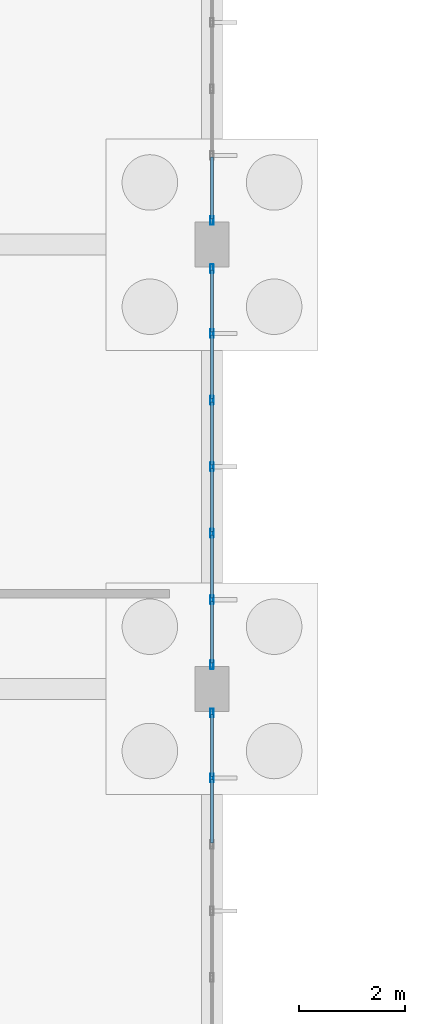
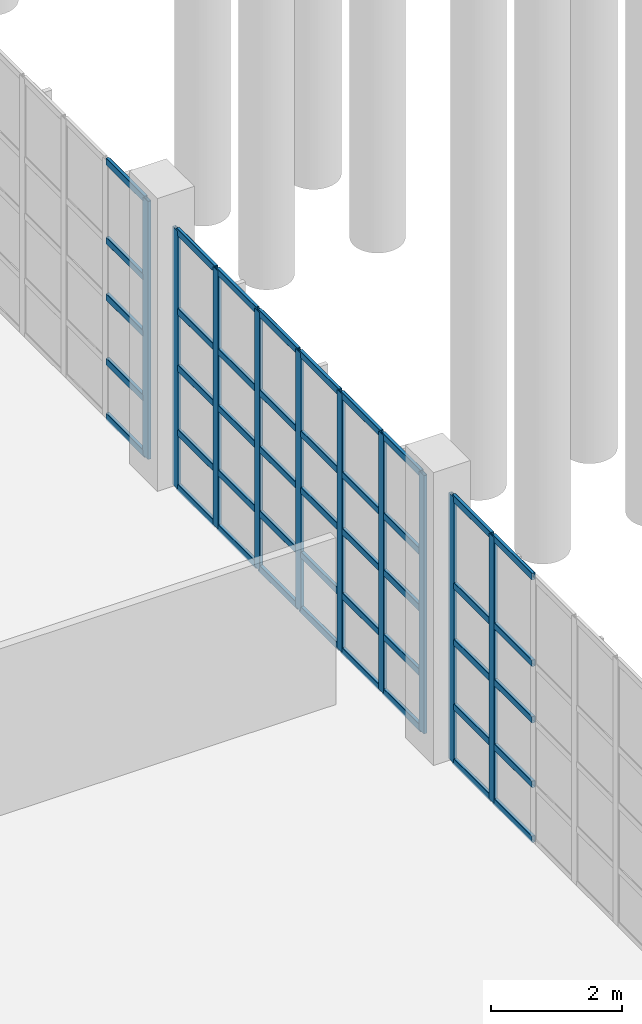
# One storey, part 23 of 83: 55 members, 3 elements without a shape of their own.
"""IFC4 building model written with IfcOpenShell, lengths in metres."""

from ifc_helpers import new_model, si_unit, direction, frame, origin, origin_2d, place, context, subcontext, project, spatial, hollow_rectangle, extrude, material, layer, layer_set, material_profile, profile_set, type_object, element, aggregate, save


model = new_model("IFC4")

# Units and contexts
model_context = context("Model", 3, precision=1e-05, world=origin(), true_north=direction((0.0, 1.0)))
body_context = subcontext(model_context, "Body", "Model", "MODEL_VIEW")
ifc_project = project(units=[si_unit("LENGTHUNIT", "METRE"), si_unit("AREAUNIT", "SQUARE_METRE"), si_unit("VOLUMEUNIT", "CUBIC_METRE"), si_unit("PLANEANGLEUNIT", "RADIAN"), si_unit("MASSUNIT", "GRAM", prefix="KILO"), si_unit("THERMODYNAMICTEMPERATUREUNIT", "KELVIN"), si_unit("POWERUNIT", "WATT")], contexts=[model_context])

# Site, building, storey
site_placement = place(None, origin())
site = spatial("IfcSite", under=ifc_project, at=site_placement, CompositionType="ELEMENT")
building_placement = place(site_placement, origin())
building = spatial("IfcBuilding", under=site, at=building_placement, Name="Mavoryth Pier Ferry Terminal", CompositionType="ELEMENT")
storey_placement = place(building_placement, origin())
storey = spatial("IfcBuildingStorey", under=building, at=storey_placement, Name="L00", CompositionType="ELEMENT", Elevation=0.0)

# Curtain wall, members
ifc_material_1 = material(Name="Anodised Aluminium and Solar-Control Low-E Glass", Category="aluminium")
ifc_layer = layer(ifc_material_1, 0.199951171875, Name="Anodised Aluminium and Solar-Control Low-E Glass", Category="aluminium")
ifc_layer_set = layer_set([ifc_layer], Name="Anodised Aluminium and Solar-Control Low-E Glass - CW-Concourse-Mod1200")
curtain_wall_type = type_object("IfcCurtainWallType", Name="CW-Concourse-Mod1200", PredefinedType="USERDEFINED", material=ifc_layer_set)
curtain_wall_1_placement = place(storey_placement, origin())
curtain_wall_1 = element("IfcCurtainWall", 1, at=curtain_wall_1_placement, inside=storey, type_object=curtain_wall_type, Name="Curtain Wall CW-0022-004", ObjectType="UNITISED CURTAIN WALL", PredefinedType="USERDEFINED")
ifc_material_2 = material(Name="Anodised Aluminium EN AW-6063", Category="aluminium")
ifc_material_profile_1 = material_profile(ifc_material_2, hollow_rectangle(XDim=0.06005859375, YDim=0.1650390625, WallThickness=0.00390625, InnerFilletRadius=0.00390625, OuterFilletRadius=0.008056640625, at=origin_2d()), Name="AL-MULL 165x60x4", Category="aluminium")
ifc_profile_set_1 = profile_set([ifc_material_profile_1], Name="Anodised Aluminium EN AW-6063 - AL-MULL 165x60x4")
member_type_1 = type_object("IfcMemberType", Name="Mullion-Alum-165x60", PredefinedType="MULLION", material=ifc_profile_set_1)
member_1_placement = place(storey_placement, frame((33.60009765625, 45.5166015625, 0.0), z_axis=(0.0, 0.0, 1.0), x_axis=(-1.0, 0.0, 0.0)))
member_1 = element("IfcMember", 2, at=member_1_placement, type_object=member_type_1, Name="CW02 mullion 6", PredefinedType="MULLION", context=body_context, shape_type="SweptSolid", body=[
    extrude(hollow_rectangle(XDim=0.06005859375, YDim=0.1650390625, WallThickness=0.00390625, InnerFilletRadius=0.00390625, OuterFilletRadius=0.008056640625, at=origin_2d()), origin(), (0.0, 0.0, 1.0), 4.93994140625),
])
member_2_placement = place(storey_placement, frame((33.60009765625, 46.7451171875, 0.0), z_axis=(0.0, 0.0, 1.0), x_axis=(-1.0, 0.0, 0.0)))
member_2 = element("IfcMember", 3, at=member_2_placement, type_object=member_type_1, Name="CW02 mullion 7", PredefinedType="MULLION", context=body_context, shape_type="SweptSolid", body=[
    extrude(hollow_rectangle(XDim=0.06005859375, YDim=0.1650390625, WallThickness=0.00390625, InnerFilletRadius=0.00390625, OuterFilletRadius=0.008056640625, at=origin_2d()), origin(), (0.0, 0.0, 1.0), 4.93994140625),
])

curtain_wall_2_placement = place(storey_placement, origin())
curtain_wall_2 = element("IfcCurtainWall", 4, at=curtain_wall_2_placement, inside=storey, type_object=curtain_wall_type, Name="Curtain Wall CW-0022-006", ObjectType="UNITISED CURTAIN WALL", PredefinedType="USERDEFINED")
member_3_placement = place(storey_placement, frame((33.60009765625, 47.655029296875, 0.0), z_axis=(0.0, 0.0, 1.0), x_axis=(-1.0, 0.0, 0.0)))
member_3 = element("IfcMember", 5, at=member_3_placement, type_object=member_type_1, Name="CW02 mullion 1", PredefinedType="MULLION", context=body_context, shape_type="SweptSolid", body=[
    extrude(hollow_rectangle(XDim=0.06005859375, YDim=0.1650390625, WallThickness=0.00390625, InnerFilletRadius=0.00390625, OuterFilletRadius=0.008056640625, at=origin_2d()), origin(), (0.0, 0.0, 1.0), 4.794921875),
])
member_4_placement = place(storey_placement, frame((33.60009765625, 48.88330078125, 0.0), z_axis=(0.0, 0.0, 1.0), x_axis=(-1.0, 0.0, 0.0)))
member_4 = element("IfcMember", 6, at=member_4_placement, type_object=member_type_1, Name="CW02 mullion 2", PredefinedType="MULLION", context=body_context, shape_type="SweptSolid", body=[
    extrude(hollow_rectangle(XDim=0.06005859375, YDim=0.1650390625, WallThickness=0.00390625, InnerFilletRadius=0.00390625, OuterFilletRadius=0.008056640625, at=origin_2d()), origin(), (0.0, 0.0, 1.0), 4.794921875),
])
member_5_placement = place(storey_placement, frame((33.60009765625, 50.1416015625, 0.0), z_axis=(0.0, 0.0, 1.0), x_axis=(-1.0, 0.0, 0.0)))
member_5 = element("IfcMember", 7, at=member_5_placement, type_object=member_type_1, Name="CW02 mullion 3", PredefinedType="MULLION", context=body_context, shape_type="SweptSolid", body=[
    extrude(hollow_rectangle(XDim=0.06005859375, YDim=0.1650390625, WallThickness=0.00390625, InnerFilletRadius=0.00390625, OuterFilletRadius=0.008056640625, at=origin_2d()), origin(), (0.0, 0.0, 1.0), 4.794921875),
])
member_6_placement = place(storey_placement, frame((33.60009765625, 51.39990234375, 0.0), z_axis=(0.0, 0.0, 1.0), x_axis=(-1.0, 0.0, 0.0)))
member_6 = element("IfcMember", 8, at=member_6_placement, type_object=member_type_1, Name="CW02 mullion 4", PredefinedType="MULLION", context=body_context, shape_type="SweptSolid", body=[
    extrude(hollow_rectangle(XDim=0.06005859375, YDim=0.1650390625, WallThickness=0.00390625, InnerFilletRadius=0.00390625, OuterFilletRadius=0.008056640625, at=origin_2d()), origin(), (0.0, 0.0, 1.0), 4.794921875),
])
member_7_placement = place(storey_placement, frame((33.60009765625, 52.658447265625, 0.0), z_axis=(0.0, 0.0, 1.0), x_axis=(-1.0, 0.0, 0.0)))
member_7 = element("IfcMember", 9, at=member_7_placement, type_object=member_type_1, Name="CW02 mullion 5", PredefinedType="MULLION", context=body_context, shape_type="SweptSolid", body=[
    extrude(hollow_rectangle(XDim=0.06005859375, YDim=0.1650390625, WallThickness=0.00390625, InnerFilletRadius=0.00390625, OuterFilletRadius=0.008056640625, at=origin_2d()), origin(), (0.0, 0.0, 1.0), 4.794921875),
])
member_8_placement = place(storey_placement, frame((33.60009765625, 53.916748046875, 0.0), z_axis=(0.0, 0.0, 1.0), x_axis=(-1.0, 0.0, 0.0)))
member_8 = element("IfcMember", 10, at=member_8_placement, type_object=member_type_1, Name="CW02 mullion 6", PredefinedType="MULLION", context=body_context, shape_type="SweptSolid", body=[
    extrude(hollow_rectangle(XDim=0.06005859375, YDim=0.1650390625, WallThickness=0.00390625, InnerFilletRadius=0.00390625, OuterFilletRadius=0.008056640625, at=origin_2d()), origin(), (0.0, 0.0, 1.0), 4.794921875),
])
member_9_placement = place(storey_placement, frame((33.60009765625, 55.14501953125, 0.0), z_axis=(0.0, 0.0, 1.0), x_axis=(-1.0, 0.0, 0.0)))
member_9 = element("IfcMember", 11, at=member_9_placement, type_object=member_type_1, Name="CW02 mullion 7", PredefinedType="MULLION", context=body_context, shape_type="SweptSolid", body=[
    extrude(hollow_rectangle(XDim=0.06005859375, YDim=0.1650390625, WallThickness=0.00390625, InnerFilletRadius=0.00390625, OuterFilletRadius=0.008056640625, at=origin_2d()), origin(), (0.0, 0.0, 1.0), 4.794921875),
])

# Curtain wall, member
curtain_wall_3_placement = place(storey_placement, origin())
curtain_wall_3 = element("IfcCurtainWall", 12, at=curtain_wall_3_placement, inside=storey, type_object=curtain_wall_type, Name="Curtain Wall CW-0022-010", ObjectType="UNITISED CURTAIN WALL", PredefinedType="USERDEFINED")
member_10_placement = place(storey_placement, frame((33.60009765625, 56.054931640625, 0.0), z_axis=(0.0, 0.0, 1.0), x_axis=(-1.0, 0.0, 0.0)))
member_10 = element("IfcMember", 13, at=member_10_placement, type_object=member_type_1, Name="CW02 mullion 1", PredefinedType="MULLION", context=body_context, shape_type="SweptSolid", body=[
    extrude(hollow_rectangle(XDim=0.06005859375, YDim=0.1650390625, WallThickness=0.00390625, InnerFilletRadius=0.00390625, OuterFilletRadius=0.008056640625, at=origin_2d()), origin(), (0.0, 0.0, 1.0), 4.794921875),
])

# Member
ifc_material_profile_2 = material_profile(ifc_material_2, hollow_rectangle(XDim=0.06005859375, YDim=0.125, WallThickness=0.00390625, InnerFilletRadius=0.00390625, OuterFilletRadius=0.008056640625, at=origin_2d()), Name="AL-TRAN 125x60x4", Category="aluminium")
ifc_profile_set_2 = profile_set([ifc_material_profile_2], Name="Anodised Aluminium EN AW-6063 - AL-TRAN 125x60x4")
member_type_2 = type_object("IfcMemberType", Name="Transom-Alum-125x60", PredefinedType="USERDEFINED", material=ifc_profile_set_2)
member_11_placement = place(storey_placement, frame((33.60009765625, 44.288330078125, 0.030029296875), z_axis=(0.0, 1.0, 0.0), x_axis=(-1.0, 0.0, 0.0)))
member_11 = element("IfcMember", 14, at=member_11_placement, type_object=member_type_2, Name="CW02 transom 5.1", ObjectType="TRANSOM", PredefinedType="USERDEFINED", context=body_context, shape_type="SweptSolid", body=[
    extrude(hollow_rectangle(XDim=0.06005859375, YDim=0.125, WallThickness=0.00390625, InnerFilletRadius=0.00390625, OuterFilletRadius=0.008056640625, at=origin_2d()), origin(), (0.0, 0.0, 1.0), 1.1982421875),
])

member_12_placement = place(storey_placement, frame((33.60009765625, 44.288330078125, 1.050048828125), z_axis=(0.0, 1.0, 0.0), x_axis=(-1.0, 0.0, 0.0)))
member_12 = element("IfcMember", 15, at=member_12_placement, type_object=member_type_2, Name="CW02 transom 5.2", ObjectType="TRANSOM", PredefinedType="USERDEFINED", context=body_context, shape_type="SweptSolid", body=[
    extrude(hollow_rectangle(XDim=0.06005859375, YDim=0.125, WallThickness=0.00390625, InnerFilletRadius=0.00390625, OuterFilletRadius=0.008056640625, at=origin_2d()), origin(), (0.0, 0.0, 1.0), 1.1982421875),
])

member_13_placement = place(storey_placement, frame((33.60009765625, 44.288330078125, 2.25), z_axis=(0.0, 1.0, 0.0), x_axis=(-1.0, 0.0, 0.0)))
member_13 = element("IfcMember", 16, at=member_13_placement, type_object=member_type_2, Name="CW02 transom 5.3", ObjectType="TRANSOM", PredefinedType="USERDEFINED", context=body_context, shape_type="SweptSolid", body=[
    extrude(hollow_rectangle(XDim=0.06005859375, YDim=0.125, WallThickness=0.00390625, InnerFilletRadius=0.00390625, OuterFilletRadius=0.008056640625, at=origin_2d()), origin(), (0.0, 0.0, 1.0), 1.1982421875),
])

member_14_placement = place(storey_placement, frame((33.60009765625, 44.288330078125, 3.300048828125), z_axis=(0.0, 1.0, 0.0), x_axis=(-1.0, 0.0, 0.0)))
member_14 = element("IfcMember", 17, at=member_14_placement, type_object=member_type_2, Name="CW02 transom 5.4", ObjectType="TRANSOM", PredefinedType="USERDEFINED", context=body_context, shape_type="SweptSolid", body=[
    extrude(hollow_rectangle(XDim=0.06005859375, YDim=0.125, WallThickness=0.00390625, InnerFilletRadius=0.00390625, OuterFilletRadius=0.008056640625, at=origin_2d()), origin(), (0.0, 0.0, 1.0), 1.1982421875),
])

member_15_placement = place(storey_placement, frame((33.60009765625, 44.288330078125, 4.909912109375), z_axis=(0.0, 1.0, 0.0), x_axis=(-1.0, 0.0, 0.0)))
member_15 = element("IfcMember", 18, at=member_15_placement, type_object=member_type_2, Name="CW02 transom 5.5", ObjectType="TRANSOM", PredefinedType="USERDEFINED", context=body_context, shape_type="SweptSolid", body=[
    extrude(hollow_rectangle(XDim=0.06005859375, YDim=0.125, WallThickness=0.00390625, InnerFilletRadius=0.00390625, OuterFilletRadius=0.008056640625, at=origin_2d()), origin(), (0.0, 0.0, 1.0), 1.1982421875),
])

member_16_placement = place(storey_placement, frame((33.60009765625, 45.546630859375, 0.030029296875), z_axis=(0.0, 1.0, 0.0), x_axis=(-1.0, 0.0, 0.0)))
member_16 = element("IfcMember", 19, at=member_16_placement, type_object=member_type_2, Name="CW02 transom 6.1", ObjectType="TRANSOM", PredefinedType="USERDEFINED", context=body_context, shape_type="SweptSolid", body=[
    extrude(hollow_rectangle(XDim=0.06005859375, YDim=0.125, WallThickness=0.00390625, InnerFilletRadius=0.00390625, OuterFilletRadius=0.008056640625, at=origin_2d()), origin(), (0.0, 0.0, 1.0), 1.16845703125),
])

member_17_placement = place(storey_placement, frame((33.60009765625, 45.546630859375, 1.050048828125), z_axis=(0.0, 1.0, 0.0), x_axis=(-1.0, 0.0, 0.0)))
member_17 = element("IfcMember", 20, at=member_17_placement, type_object=member_type_2, Name="CW02 transom 6.2", ObjectType="TRANSOM", PredefinedType="USERDEFINED", context=body_context, shape_type="SweptSolid", body=[
    extrude(hollow_rectangle(XDim=0.06005859375, YDim=0.125, WallThickness=0.00390625, InnerFilletRadius=0.00390625, OuterFilletRadius=0.008056640625, at=origin_2d()), origin(), (0.0, 0.0, 1.0), 1.16845703125),
])

member_18_placement = place(storey_placement, frame((33.60009765625, 45.546630859375, 2.25), z_axis=(0.0, 1.0, 0.0), x_axis=(-1.0, 0.0, 0.0)))
member_18 = element("IfcMember", 21, at=member_18_placement, type_object=member_type_2, Name="CW02 transom 6.3", ObjectType="TRANSOM", PredefinedType="USERDEFINED", context=body_context, shape_type="SweptSolid", body=[
    extrude(hollow_rectangle(XDim=0.06005859375, YDim=0.125, WallThickness=0.00390625, InnerFilletRadius=0.00390625, OuterFilletRadius=0.008056640625, at=origin_2d()), origin(), (0.0, 0.0, 1.0), 1.16845703125),
])

member_19_placement = place(storey_placement, frame((33.60009765625, 45.546630859375, 3.300048828125), z_axis=(0.0, 1.0, 0.0), x_axis=(-1.0, 0.0, 0.0)))
member_19 = element("IfcMember", 22, at=member_19_placement, type_object=member_type_2, Name="CW02 transom 6.4", ObjectType="TRANSOM", PredefinedType="USERDEFINED", context=body_context, shape_type="SweptSolid", body=[
    extrude(hollow_rectangle(XDim=0.06005859375, YDim=0.125, WallThickness=0.00390625, InnerFilletRadius=0.00390625, OuterFilletRadius=0.008056640625, at=origin_2d()), origin(), (0.0, 0.0, 1.0), 1.16845703125),
])

member_20_placement = place(storey_placement, frame((33.60009765625, 45.546630859375, 4.909912109375), z_axis=(0.0, 1.0, 0.0), x_axis=(-1.0, 0.0, 0.0)))
member_20 = element("IfcMember", 23, at=member_20_placement, type_object=member_type_2, Name="CW02 transom 6.5", ObjectType="TRANSOM", PredefinedType="USERDEFINED", context=body_context, shape_type="SweptSolid", body=[
    extrude(hollow_rectangle(XDim=0.06005859375, YDim=0.125, WallThickness=0.00390625, InnerFilletRadius=0.00390625, OuterFilletRadius=0.008056640625, at=origin_2d()), origin(), (0.0, 0.0, 1.0), 1.16845703125),
])

aggregate(curtain_wall_1, [member_1, member_2, member_11, member_12, member_13, member_14, member_15, member_16, member_17, member_18, member_19, member_20])

member_21_placement = place(storey_placement, frame((33.60009765625, 47.68505859375, 0.030029296875), z_axis=(0.0, 1.0, 0.0), x_axis=(-1.0, 0.0, 0.0)))
member_21 = element("IfcMember", 24, at=member_21_placement, type_object=member_type_2, Name="CW02 transom 1.1", ObjectType="TRANSOM", PredefinedType="USERDEFINED", context=body_context, shape_type="SweptSolid", body=[
    extrude(hollow_rectangle(XDim=0.06005859375, YDim=0.125, WallThickness=0.00390625, InnerFilletRadius=0.00390625, OuterFilletRadius=0.008056640625, at=origin_2d()), origin(), (0.0, 0.0, 1.0), 1.168212890625),
])

member_22_placement = place(storey_placement, frame((33.60009765625, 47.68505859375, 1.050048828125), z_axis=(0.0, 1.0, 0.0), x_axis=(-1.0, 0.0, 0.0)))
member_22 = element("IfcMember", 25, at=member_22_placement, type_object=member_type_2, Name="CW02 transom 1.2", ObjectType="TRANSOM", PredefinedType="USERDEFINED", context=body_context, shape_type="SweptSolid", body=[
    extrude(hollow_rectangle(XDim=0.06005859375, YDim=0.125, WallThickness=0.00390625, InnerFilletRadius=0.00390625, OuterFilletRadius=0.008056640625, at=origin_2d()), origin(), (0.0, 0.0, 1.0), 1.168212890625),
])

member_23_placement = place(storey_placement, frame((33.60009765625, 47.68505859375, 2.25), z_axis=(0.0, 1.0, 0.0), x_axis=(-1.0, 0.0, 0.0)))
member_23 = element("IfcMember", 26, at=member_23_placement, type_object=member_type_2, Name="CW02 transom 1.3", ObjectType="TRANSOM", PredefinedType="USERDEFINED", context=body_context, shape_type="SweptSolid", body=[
    extrude(hollow_rectangle(XDim=0.06005859375, YDim=0.125, WallThickness=0.00390625, InnerFilletRadius=0.00390625, OuterFilletRadius=0.008056640625, at=origin_2d()), origin(), (0.0, 0.0, 1.0), 1.168212890625),
])

member_24_placement = place(storey_placement, frame((33.60009765625, 47.68505859375, 3.300048828125), z_axis=(0.0, 1.0, 0.0), x_axis=(-1.0, 0.0, 0.0)))
member_24 = element("IfcMember", 27, at=member_24_placement, type_object=member_type_2, Name="CW02 transom 1.4", ObjectType="TRANSOM", PredefinedType="USERDEFINED", context=body_context, shape_type="SweptSolid", body=[
    extrude(hollow_rectangle(XDim=0.06005859375, YDim=0.125, WallThickness=0.00390625, InnerFilletRadius=0.00390625, OuterFilletRadius=0.008056640625, at=origin_2d()), origin(), (0.0, 0.0, 1.0), 1.168212890625),
])

member_25_placement = place(storey_placement, frame((33.60009765625, 47.68505859375, 4.764892578125), z_axis=(0.0, 1.0, 0.0), x_axis=(-1.0, 0.0, 0.0)))
member_25 = element("IfcMember", 28, at=member_25_placement, type_object=member_type_2, Name="CW02 transom 1.5", ObjectType="TRANSOM", PredefinedType="USERDEFINED", context=body_context, shape_type="SweptSolid", body=[
    extrude(hollow_rectangle(XDim=0.06005859375, YDim=0.125, WallThickness=0.00390625, InnerFilletRadius=0.00390625, OuterFilletRadius=0.008056640625, at=origin_2d()), origin(), (0.0, 0.0, 1.0), 1.168212890625),
])

member_26_placement = place(storey_placement, frame((33.60009765625, 48.913330078125, 0.030029296875), z_axis=(0.0, 1.0, 0.0), x_axis=(-1.0, 0.0, 0.0)))
member_26 = element("IfcMember", 29, at=member_26_placement, type_object=member_type_2, Name="CW02 transom 2.1", ObjectType="TRANSOM", PredefinedType="USERDEFINED", context=body_context, shape_type="SweptSolid", body=[
    extrude(hollow_rectangle(XDim=0.06005859375, YDim=0.125, WallThickness=0.00390625, InnerFilletRadius=0.00390625, OuterFilletRadius=0.008056640625, at=origin_2d()), origin(), (0.0, 0.0, 1.0), 1.1982421875),
])

member_27_placement = place(storey_placement, frame((33.60009765625, 48.913330078125, 1.050048828125), z_axis=(0.0, 1.0, 0.0), x_axis=(-1.0, 0.0, 0.0)))
member_27 = element("IfcMember", 30, at=member_27_placement, type_object=member_type_2, Name="CW02 transom 2.2", ObjectType="TRANSOM", PredefinedType="USERDEFINED", context=body_context, shape_type="SweptSolid", body=[
    extrude(hollow_rectangle(XDim=0.06005859375, YDim=0.125, WallThickness=0.00390625, InnerFilletRadius=0.00390625, OuterFilletRadius=0.008056640625, at=origin_2d()), origin(), (0.0, 0.0, 1.0), 1.1982421875),
])

member_28_placement = place(storey_placement, frame((33.60009765625, 48.913330078125, 2.25), z_axis=(0.0, 1.0, 0.0), x_axis=(-1.0, 0.0, 0.0)))
member_28 = element("IfcMember", 31, at=member_28_placement, type_object=member_type_2, Name="CW02 transom 2.3", ObjectType="TRANSOM", PredefinedType="USERDEFINED", context=body_context, shape_type="SweptSolid", body=[
    extrude(hollow_rectangle(XDim=0.06005859375, YDim=0.125, WallThickness=0.00390625, InnerFilletRadius=0.00390625, OuterFilletRadius=0.008056640625, at=origin_2d()), origin(), (0.0, 0.0, 1.0), 1.1982421875),
])

member_29_placement = place(storey_placement, frame((33.60009765625, 48.913330078125, 3.300048828125), z_axis=(0.0, 1.0, 0.0), x_axis=(-1.0, 0.0, 0.0)))
member_29 = element("IfcMember", 32, at=member_29_placement, type_object=member_type_2, Name="CW02 transom 2.4", ObjectType="TRANSOM", PredefinedType="USERDEFINED", context=body_context, shape_type="SweptSolid", body=[
    extrude(hollow_rectangle(XDim=0.06005859375, YDim=0.125, WallThickness=0.00390625, InnerFilletRadius=0.00390625, OuterFilletRadius=0.008056640625, at=origin_2d()), origin(), (0.0, 0.0, 1.0), 1.1982421875),
])

member_30_placement = place(storey_placement, frame((33.60009765625, 48.913330078125, 4.764892578125), z_axis=(0.0, 1.0, 0.0), x_axis=(-1.0, 0.0, 0.0)))
member_30 = element("IfcMember", 33, at=member_30_placement, type_object=member_type_2, Name="CW02 transom 2.5", ObjectType="TRANSOM", PredefinedType="USERDEFINED", context=body_context, shape_type="SweptSolid", body=[
    extrude(hollow_rectangle(XDim=0.06005859375, YDim=0.125, WallThickness=0.00390625, InnerFilletRadius=0.00390625, OuterFilletRadius=0.008056640625, at=origin_2d()), origin(), (0.0, 0.0, 1.0), 1.1982421875),
])

member_31_placement = place(storey_placement, frame((33.60009765625, 50.171630859375, 0.030029296875), z_axis=(0.0, 1.0, 0.0), x_axis=(-1.0, 0.0, 0.0)))
member_31 = element("IfcMember", 34, at=member_31_placement, type_object=member_type_2, Name="CW02 transom 3.1", ObjectType="TRANSOM", PredefinedType="USERDEFINED", context=body_context, shape_type="SweptSolid", body=[
    extrude(hollow_rectangle(XDim=0.06005859375, YDim=0.125, WallThickness=0.00390625, InnerFilletRadius=0.00390625, OuterFilletRadius=0.008056640625, at=origin_2d()), origin(), (0.0, 0.0, 1.0), 1.198486328125),
])

member_32_placement = place(storey_placement, frame((33.60009765625, 50.171630859375, 1.050048828125), z_axis=(0.0, 1.0, 0.0), x_axis=(-1.0, 0.0, 0.0)))
member_32 = element("IfcMember", 35, at=member_32_placement, type_object=member_type_2, Name="CW02 transom 3.2", ObjectType="TRANSOM", PredefinedType="USERDEFINED", context=body_context, shape_type="SweptSolid", body=[
    extrude(hollow_rectangle(XDim=0.06005859375, YDim=0.125, WallThickness=0.00390625, InnerFilletRadius=0.00390625, OuterFilletRadius=0.008056640625, at=origin_2d()), origin(), (0.0, 0.0, 1.0), 1.198486328125),
])

member_33_placement = place(storey_placement, frame((33.60009765625, 50.171630859375, 2.25), z_axis=(0.0, 1.0, 0.0), x_axis=(-1.0, 0.0, 0.0)))
member_33 = element("IfcMember", 36, at=member_33_placement, type_object=member_type_2, Name="CW02 transom 3.3", ObjectType="TRANSOM", PredefinedType="USERDEFINED", context=body_context, shape_type="SweptSolid", body=[
    extrude(hollow_rectangle(XDim=0.06005859375, YDim=0.125, WallThickness=0.00390625, InnerFilletRadius=0.00390625, OuterFilletRadius=0.008056640625, at=origin_2d()), origin(), (0.0, 0.0, 1.0), 1.198486328125),
])

member_34_placement = place(storey_placement, frame((33.60009765625, 50.171630859375, 3.300048828125), z_axis=(0.0, 1.0, 0.0), x_axis=(-1.0, 0.0, 0.0)))
member_34 = element("IfcMember", 37, at=member_34_placement, type_object=member_type_2, Name="CW02 transom 3.4", ObjectType="TRANSOM", PredefinedType="USERDEFINED", context=body_context, shape_type="SweptSolid", body=[
    extrude(hollow_rectangle(XDim=0.06005859375, YDim=0.125, WallThickness=0.00390625, InnerFilletRadius=0.00390625, OuterFilletRadius=0.008056640625, at=origin_2d()), origin(), (0.0, 0.0, 1.0), 1.198486328125),
])

member_35_placement = place(storey_placement, frame((33.60009765625, 50.171630859375, 4.764892578125), z_axis=(0.0, 1.0, 0.0), x_axis=(-1.0, 0.0, 0.0)))
member_35 = element("IfcMember", 38, at=member_35_placement, type_object=member_type_2, Name="CW02 transom 3.5", ObjectType="TRANSOM", PredefinedType="USERDEFINED", context=body_context, shape_type="SweptSolid", body=[
    extrude(hollow_rectangle(XDim=0.06005859375, YDim=0.125, WallThickness=0.00390625, InnerFilletRadius=0.00390625, OuterFilletRadius=0.008056640625, at=origin_2d()), origin(), (0.0, 0.0, 1.0), 1.198486328125),
])

member_36_placement = place(storey_placement, frame((33.60009765625, 51.429931640625, 0.030029296875), z_axis=(0.0, 1.0, 0.0), x_axis=(-1.0, 0.0, 0.0)))
member_36 = element("IfcMember", 39, at=member_36_placement, type_object=member_type_2, Name="CW02 transom 4.1", ObjectType="TRANSOM", PredefinedType="USERDEFINED", context=body_context, shape_type="SweptSolid", body=[
    extrude(hollow_rectangle(XDim=0.06005859375, YDim=0.125, WallThickness=0.00390625, InnerFilletRadius=0.00390625, OuterFilletRadius=0.008056640625, at=origin_2d()), origin(), (0.0, 0.0, 1.0), 1.198486328125),
])

member_37_placement = place(storey_placement, frame((33.60009765625, 51.429931640625, 1.050048828125), z_axis=(0.0, 1.0, 0.0), x_axis=(-1.0, 0.0, 0.0)))
member_37 = element("IfcMember", 40, at=member_37_placement, type_object=member_type_2, Name="CW02 transom 4.2", ObjectType="TRANSOM", PredefinedType="USERDEFINED", context=body_context, shape_type="SweptSolid", body=[
    extrude(hollow_rectangle(XDim=0.06005859375, YDim=0.125, WallThickness=0.00390625, InnerFilletRadius=0.00390625, OuterFilletRadius=0.008056640625, at=origin_2d()), origin(), (0.0, 0.0, 1.0), 1.198486328125),
])

member_38_placement = place(storey_placement, frame((33.60009765625, 51.429931640625, 2.25), z_axis=(0.0, 1.0, 0.0), x_axis=(-1.0, 0.0, 0.0)))
member_38 = element("IfcMember", 41, at=member_38_placement, type_object=member_type_2, Name="CW02 transom 4.3", ObjectType="TRANSOM", PredefinedType="USERDEFINED", context=body_context, shape_type="SweptSolid", body=[
    extrude(hollow_rectangle(XDim=0.06005859375, YDim=0.125, WallThickness=0.00390625, InnerFilletRadius=0.00390625, OuterFilletRadius=0.008056640625, at=origin_2d()), origin(), (0.0, 0.0, 1.0), 1.198486328125),
])

member_39_placement = place(storey_placement, frame((33.60009765625, 51.429931640625, 3.300048828125), z_axis=(0.0, 1.0, 0.0), x_axis=(-1.0, 0.0, 0.0)))
member_39 = element("IfcMember", 42, at=member_39_placement, type_object=member_type_2, Name="CW02 transom 4.4", ObjectType="TRANSOM", PredefinedType="USERDEFINED", context=body_context, shape_type="SweptSolid", body=[
    extrude(hollow_rectangle(XDim=0.06005859375, YDim=0.125, WallThickness=0.00390625, InnerFilletRadius=0.00390625, OuterFilletRadius=0.008056640625, at=origin_2d()), origin(), (0.0, 0.0, 1.0), 1.198486328125),
])

member_40_placement = place(storey_placement, frame((33.60009765625, 51.429931640625, 4.764892578125), z_axis=(0.0, 1.0, 0.0), x_axis=(-1.0, 0.0, 0.0)))
member_40 = element("IfcMember", 43, at=member_40_placement, type_object=member_type_2, Name="CW02 transom 4.5", ObjectType="TRANSOM", PredefinedType="USERDEFINED", context=body_context, shape_type="SweptSolid", body=[
    extrude(hollow_rectangle(XDim=0.06005859375, YDim=0.125, WallThickness=0.00390625, InnerFilletRadius=0.00390625, OuterFilletRadius=0.008056640625, at=origin_2d()), origin(), (0.0, 0.0, 1.0), 1.198486328125),
])

member_41_placement = place(storey_placement, frame((33.60009765625, 52.688232421875, 0.030029296875), z_axis=(0.0, 1.0, 0.0), x_axis=(-1.0, 0.0, 0.0)))
member_41 = element("IfcMember", 44, at=member_41_placement, type_object=member_type_2, Name="CW02 transom 5.1", ObjectType="TRANSOM", PredefinedType="USERDEFINED", context=body_context, shape_type="SweptSolid", body=[
    extrude(hollow_rectangle(XDim=0.06005859375, YDim=0.125, WallThickness=0.00390625, InnerFilletRadius=0.00390625, OuterFilletRadius=0.008056640625, at=origin_2d()), origin(), (0.0, 0.0, 1.0), 1.198486328125),
])

member_42_placement = place(storey_placement, frame((33.60009765625, 52.688232421875, 1.050048828125), z_axis=(0.0, 1.0, 0.0), x_axis=(-1.0, 0.0, 0.0)))
member_42 = element("IfcMember", 45, at=member_42_placement, type_object=member_type_2, Name="CW02 transom 5.2", ObjectType="TRANSOM", PredefinedType="USERDEFINED", context=body_context, shape_type="SweptSolid", body=[
    extrude(hollow_rectangle(XDim=0.06005859375, YDim=0.125, WallThickness=0.00390625, InnerFilletRadius=0.00390625, OuterFilletRadius=0.008056640625, at=origin_2d()), origin(), (0.0, 0.0, 1.0), 1.198486328125),
])

member_43_placement = place(storey_placement, frame((33.60009765625, 52.688232421875, 2.25), z_axis=(0.0, 1.0, 0.0), x_axis=(-1.0, 0.0, 0.0)))
member_43 = element("IfcMember", 46, at=member_43_placement, type_object=member_type_2, Name="CW02 transom 5.3", ObjectType="TRANSOM", PredefinedType="USERDEFINED", context=body_context, shape_type="SweptSolid", body=[
    extrude(hollow_rectangle(XDim=0.06005859375, YDim=0.125, WallThickness=0.00390625, InnerFilletRadius=0.00390625, OuterFilletRadius=0.008056640625, at=origin_2d()), origin(), (0.0, 0.0, 1.0), 1.198486328125),
])

member_44_placement = place(storey_placement, frame((33.60009765625, 52.688232421875, 3.300048828125), z_axis=(0.0, 1.0, 0.0), x_axis=(-1.0, 0.0, 0.0)))
member_44 = element("IfcMember", 47, at=member_44_placement, type_object=member_type_2, Name="CW02 transom 5.4", ObjectType="TRANSOM", PredefinedType="USERDEFINED", context=body_context, shape_type="SweptSolid", body=[
    extrude(hollow_rectangle(XDim=0.06005859375, YDim=0.125, WallThickness=0.00390625, InnerFilletRadius=0.00390625, OuterFilletRadius=0.008056640625, at=origin_2d()), origin(), (0.0, 0.0, 1.0), 1.198486328125),
])

member_45_placement = place(storey_placement, frame((33.60009765625, 52.688232421875, 4.764892578125), z_axis=(0.0, 1.0, 0.0), x_axis=(-1.0, 0.0, 0.0)))
member_45 = element("IfcMember", 48, at=member_45_placement, type_object=member_type_2, Name="CW02 transom 5.5", ObjectType="TRANSOM", PredefinedType="USERDEFINED", context=body_context, shape_type="SweptSolid", body=[
    extrude(hollow_rectangle(XDim=0.06005859375, YDim=0.125, WallThickness=0.00390625, InnerFilletRadius=0.00390625, OuterFilletRadius=0.008056640625, at=origin_2d()), origin(), (0.0, 0.0, 1.0), 1.198486328125),
])

member_46_placement = place(storey_placement, frame((33.60009765625, 53.94677734375, 0.030029296875), z_axis=(0.0, 1.0, 0.0), x_axis=(-1.0, 0.0, 0.0)))
member_46 = element("IfcMember", 49, at=member_46_placement, type_object=member_type_2, Name="CW02 transom 6.1", ObjectType="TRANSOM", PredefinedType="USERDEFINED", context=body_context, shape_type="SweptSolid", body=[
    extrude(hollow_rectangle(XDim=0.06005859375, YDim=0.125, WallThickness=0.00390625, InnerFilletRadius=0.00390625, OuterFilletRadius=0.008056640625, at=origin_2d()), origin(), (0.0, 0.0, 1.0), 1.168212890625),
])

member_47_placement = place(storey_placement, frame((33.60009765625, 53.94677734375, 1.050048828125), z_axis=(0.0, 1.0, 0.0), x_axis=(-1.0, 0.0, 0.0)))
member_47 = element("IfcMember", 50, at=member_47_placement, type_object=member_type_2, Name="CW02 transom 6.2", ObjectType="TRANSOM", PredefinedType="USERDEFINED", context=body_context, shape_type="SweptSolid", body=[
    extrude(hollow_rectangle(XDim=0.06005859375, YDim=0.125, WallThickness=0.00390625, InnerFilletRadius=0.00390625, OuterFilletRadius=0.008056640625, at=origin_2d()), origin(), (0.0, 0.0, 1.0), 1.168212890625),
])

member_48_placement = place(storey_placement, frame((33.60009765625, 53.94677734375, 2.25), z_axis=(0.0, 1.0, 0.0), x_axis=(-1.0, 0.0, 0.0)))
member_48 = element("IfcMember", 51, at=member_48_placement, type_object=member_type_2, Name="CW02 transom 6.3", ObjectType="TRANSOM", PredefinedType="USERDEFINED", context=body_context, shape_type="SweptSolid", body=[
    extrude(hollow_rectangle(XDim=0.06005859375, YDim=0.125, WallThickness=0.00390625, InnerFilletRadius=0.00390625, OuterFilletRadius=0.008056640625, at=origin_2d()), origin(), (0.0, 0.0, 1.0), 1.168212890625),
])

member_49_placement = place(storey_placement, frame((33.60009765625, 53.94677734375, 3.300048828125), z_axis=(0.0, 1.0, 0.0), x_axis=(-1.0, 0.0, 0.0)))
member_49 = element("IfcMember", 52, at=member_49_placement, type_object=member_type_2, Name="CW02 transom 6.4", ObjectType="TRANSOM", PredefinedType="USERDEFINED", context=body_context, shape_type="SweptSolid", body=[
    extrude(hollow_rectangle(XDim=0.06005859375, YDim=0.125, WallThickness=0.00390625, InnerFilletRadius=0.00390625, OuterFilletRadius=0.008056640625, at=origin_2d()), origin(), (0.0, 0.0, 1.0), 1.168212890625),
])

member_50_placement = place(storey_placement, frame((33.60009765625, 53.94677734375, 4.764892578125), z_axis=(0.0, 1.0, 0.0), x_axis=(-1.0, 0.0, 0.0)))
member_50 = element("IfcMember", 53, at=member_50_placement, type_object=member_type_2, Name="CW02 transom 6.5", ObjectType="TRANSOM", PredefinedType="USERDEFINED", context=body_context, shape_type="SweptSolid", body=[
    extrude(hollow_rectangle(XDim=0.06005859375, YDim=0.125, WallThickness=0.00390625, InnerFilletRadius=0.00390625, OuterFilletRadius=0.008056640625, at=origin_2d()), origin(), (0.0, 0.0, 1.0), 1.168212890625),
])

aggregate(curtain_wall_2, [member_3, member_4, member_5, member_6, member_7, member_8, member_9, member_21, member_22, member_23, member_24, member_25, member_26, member_27, member_28, member_29, member_30, member_31, member_32, member_33, member_34, member_35, member_36, member_37, member_38, member_39, member_40, member_41, member_42, member_43, member_44, member_45, member_46, member_47, member_48, member_49, member_50])

member_51_placement = place(storey_placement, frame((33.60009765625, 56.0849609375, 0.030029296875), z_axis=(0.0, 1.0, 0.0), x_axis=(-1.0, 0.0, 0.0)))
member_51 = element("IfcMember", 54, at=member_51_placement, type_object=member_type_2, Name="CW02 transom 1.1", ObjectType="TRANSOM", PredefinedType="USERDEFINED", context=body_context, shape_type="SweptSolid", body=[
    extrude(hollow_rectangle(XDim=0.06005859375, YDim=0.125, WallThickness=0.00390625, InnerFilletRadius=0.00390625, OuterFilletRadius=0.008056640625, at=origin_2d()), origin(), (0.0, 0.0, 1.0), 1.16845703125),
])

member_52_placement = place(storey_placement, frame((33.60009765625, 56.0849609375, 1.050048828125), z_axis=(0.0, 1.0, 0.0), x_axis=(-1.0, 0.0, 0.0)))
member_52 = element("IfcMember", 55, at=member_52_placement, type_object=member_type_2, Name="CW02 transom 1.2", ObjectType="TRANSOM", PredefinedType="USERDEFINED", context=body_context, shape_type="SweptSolid", body=[
    extrude(hollow_rectangle(XDim=0.06005859375, YDim=0.125, WallThickness=0.00390625, InnerFilletRadius=0.00390625, OuterFilletRadius=0.008056640625, at=origin_2d()), origin(), (0.0, 0.0, 1.0), 1.16845703125),
])

member_53_placement = place(storey_placement, frame((33.60009765625, 56.0849609375, 2.25), z_axis=(0.0, 1.0, 0.0), x_axis=(-1.0, 0.0, 0.0)))
member_53 = element("IfcMember", 56, at=member_53_placement, type_object=member_type_2, Name="CW02 transom 1.3", ObjectType="TRANSOM", PredefinedType="USERDEFINED", context=body_context, shape_type="SweptSolid", body=[
    extrude(hollow_rectangle(XDim=0.06005859375, YDim=0.125, WallThickness=0.00390625, InnerFilletRadius=0.00390625, OuterFilletRadius=0.008056640625, at=origin_2d()), origin(), (0.0, 0.0, 1.0), 1.16845703125),
])

member_54_placement = place(storey_placement, frame((33.60009765625, 56.0849609375, 3.300048828125), z_axis=(0.0, 1.0, 0.0), x_axis=(-1.0, 0.0, 0.0)))
member_54 = element("IfcMember", 57, at=member_54_placement, type_object=member_type_2, Name="CW02 transom 1.4", ObjectType="TRANSOM", PredefinedType="USERDEFINED", context=body_context, shape_type="SweptSolid", body=[
    extrude(hollow_rectangle(XDim=0.06005859375, YDim=0.125, WallThickness=0.00390625, InnerFilletRadius=0.00390625, OuterFilletRadius=0.008056640625, at=origin_2d()), origin(), (0.0, 0.0, 1.0), 1.16845703125),
])

member_55_placement = place(storey_placement, frame((33.60009765625, 56.0849609375, 4.764892578125), z_axis=(0.0, 1.0, 0.0), x_axis=(-1.0, 0.0, 0.0)))
member_55 = element("IfcMember", 58, at=member_55_placement, type_object=member_type_2, Name="CW02 transom 1.5", ObjectType="TRANSOM", PredefinedType="USERDEFINED", context=body_context, shape_type="SweptSolid", body=[
    extrude(hollow_rectangle(XDim=0.06005859375, YDim=0.125, WallThickness=0.00390625, InnerFilletRadius=0.00390625, OuterFilletRadius=0.008056640625, at=origin_2d()), origin(), (0.0, 0.0, 1.0), 1.16845703125),
])

aggregate(curtain_wall_3, [member_10, member_51, member_52, member_53, member_54, member_55])

save(model, "model.ifc")
